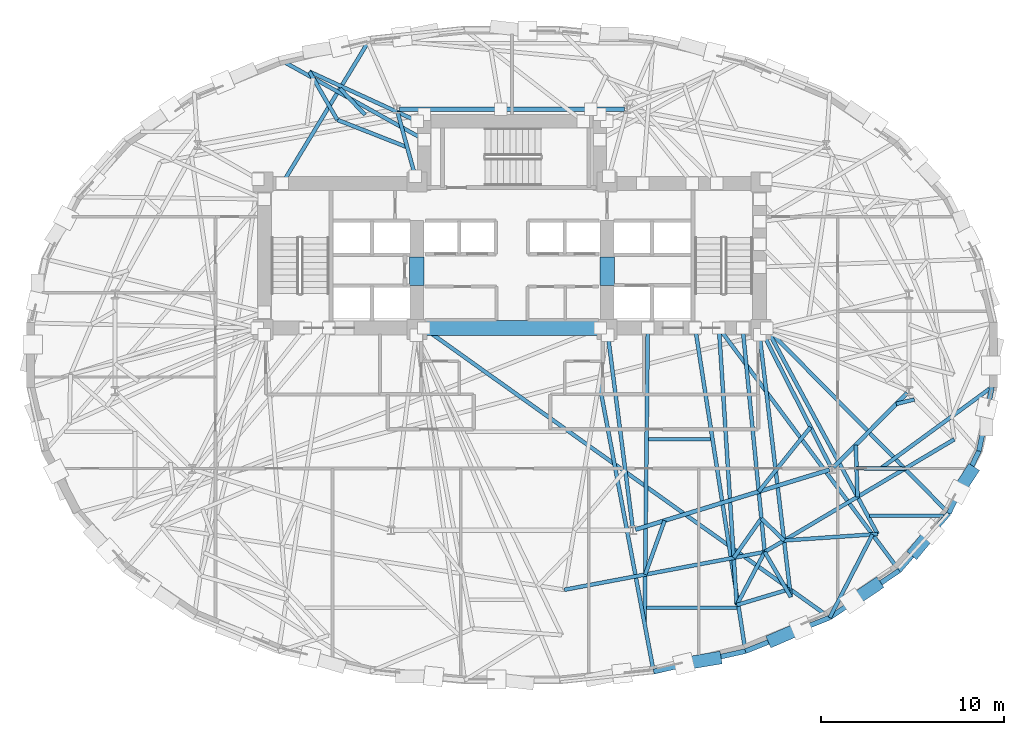
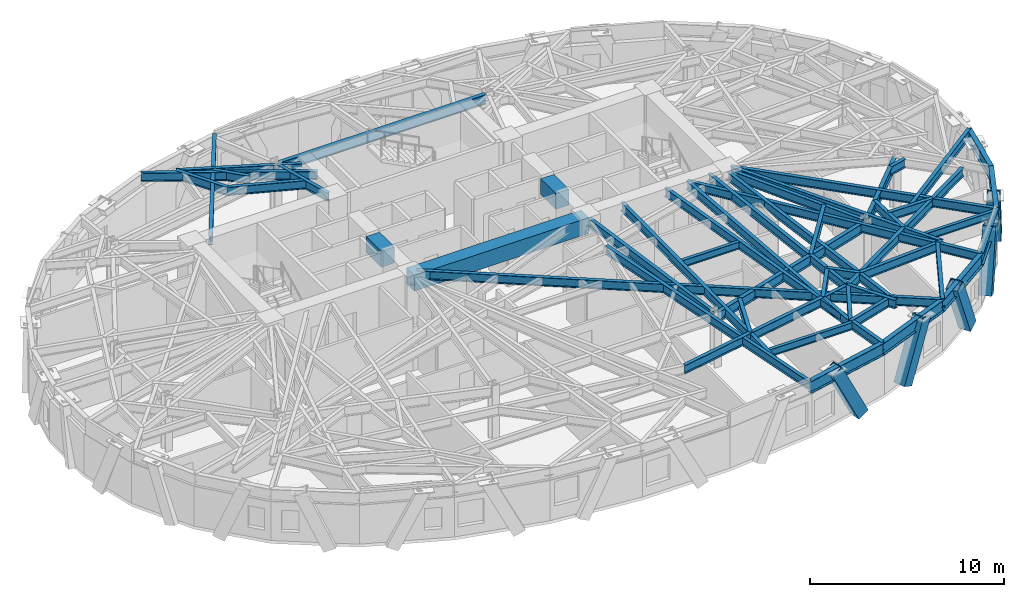
# One storey, part 3 of 14: 49 beams, 5 members.
"""IFC4 building model written with IfcOpenShell, lengths in metres."""

from ifc_helpers import new_model, si_unit, direction, frame, origin, origin_2d, place, context, subcontext, project, spatial, rectangle, hollow_rectangle, i_section, extrude, material, material_profile, profile_set, type_object, element, save


model = new_model("IFC4")

# Units and contexts
model_context = context("Model", 3, precision=1e-05, world=origin(), true_north=direction((0.0, 1.0)))
body_context = subcontext(model_context, "Body", "Model", "MODEL_VIEW")
ifc_project = project(units=[si_unit("LENGTHUNIT", "METRE"), si_unit("AREAUNIT", "SQUARE_METRE"), si_unit("VOLUMEUNIT", "CUBIC_METRE"), si_unit("PLANEANGLEUNIT", "RADIAN"), si_unit("MASSUNIT", "GRAM", prefix="KILO")], contexts=[model_context])

# Site, building, storey
site_placement = place(None, origin())
site = spatial("IfcSite", under=ifc_project, at=site_placement, CompositionType="ELEMENT")
building_placement = place(site_placement, origin())
building = spatial("IfcBuilding", under=site, at=building_placement, Name="Keldmark Tower", CompositionType="ELEMENT")
storey_placement = place(building_placement, frame((0.0, 0.0, 117.60009765625)))
storey = spatial("IfcBuildingStorey", under=building, at=storey_placement, Name="L31", CompositionType="ELEMENT", Elevation=117.60009765625)

# Beams
ifc_material_1 = material(Name="Steel ASTM A992 Grade 50", Category="steel")
ifc_material_profile_1 = material_profile(ifc_material_1, i_section(OverallWidth=0.19091796875, OverallDepth=0.45703125, WebThickness=0.009033203125, FlangeThickness=0.014404296875, at=origin_2d()), Name="W18X50")
ifc_profile_set_1 = profile_set([ifc_material_profile_1], Name="Steel ASTM A992 Grade 50")
beam_type_1 = type_object("IfcBeamType", Name="Composite Floor Joist W18X50", PredefinedType="JOIST", material=ifc_profile_set_1)
beam_1_placement = place(storey_placement, frame((7.353759765625, -13.800048828125, 3.081298828125), z_axis=(1.0, 0.0, 0.0), x_axis=(0.0, 1.0, 0.0)))
element("IfcBeam", 1, at=beam_1_placement, inside=storey, type_object=beam_type_1, Name="L31 Composite Floor Joist J03", PredefinedType="JOIST", context=body_context, shape_type="SweptSolid", body=[
    extrude(i_section(OverallWidth=0.19091796875, OverallDepth=0.45703125, WebThickness=0.009033203125, FlangeThickness=0.014404296875, at=origin_2d()), origin(), (0.0, 0.0, 1.0), 4.93505859375),
])
beam_2_placement = place(storey_placement, frame((19.54541015625, -8.780029296875, 3.081298828125), z_axis=(1.0, 0.0, 0.0), x_axis=(0.0, 1.0, 0.0)))
element("IfcBeam", 2, at=beam_2_placement, inside=storey, type_object=beam_type_1, Name="L31 Composite Floor Joist J04", PredefinedType="JOIST", context=body_context, shape_type="SweptSolid", body=[
    extrude(i_section(OverallWidth=0.19091796875, OverallDepth=0.45703125, WebThickness=0.009033203125, FlangeThickness=0.014404296875, at=origin_2d()), origin(), (0.0, 0.0, 1.0), 4.0390625),
])
beam_3_placement = place(storey_placement, frame((7.4501953125, -4.60009765625, 3.081298828125), z_axis=(1.0, 0.0, 0.0), x_axis=(0.0, 1.0, 0.0)))
element("IfcBeam", 3, at=beam_3_placement, inside=storey, type_object=beam_type_1, Name="L31 Composite Floor Joist J07", PredefinedType="JOIST", context=body_context, shape_type="SweptSolid", body=[
    extrude(i_section(OverallWidth=0.19091796875, OverallDepth=0.45703125, WebThickness=0.009033203125, FlangeThickness=0.014404296875, at=origin_2d()), origin(), (0.0, 0.0, 1.0), 3.407958984375),
])
ifc_material_2 = material(Name="Concrete C70/85", Category="concrete")
ifc_material_profile_2 = material_profile(ifc_material_2, rectangle(XDim=0.800048828125, YDim=1.0, at=origin_2d()), Name="RCB800X1000")
ifc_profile_set_2 = profile_set([ifc_material_profile_2], Name="Concrete C70/85")
beam_type_2 = type_object("IfcBeamType", Name="Core Coupling Beam RCB800X1000", PredefinedType="USERDEFINED", material=ifc_profile_set_2)
for number, where, z_axis, x_axis, name in (
    (4, (-5.199951171875, 3.800048828125, 2.809814453125), (0.0, 1.0, 0.0), (-1.0, 0.0, 0.0), "L31 West Core Coupling Beam"),
    (5, (5.199951171875, 3.800048828125, 2.809814453125), (0.0, 1.0, 0.0), (-1.0, 0.0, 0.0), "L31 East Core Coupling Beam"),
):
    element("IfcBeam", number, at=place(storey_placement, frame(where, z_axis=z_axis, x_axis=x_axis)), inside=storey, type_object=beam_type_2, Name=name, ObjectType="COUPLING BEAM", PredefinedType="USERDEFINED", context=body_context, shape_type="SweptSolid", body=[
        extrude(rectangle(XDim=0.800048828125, YDim=1.0, at=origin_2d()), origin(), (0.0, 0.0, 1.0), 1.550048828125),
    ])
beam_4_placement = place(storey_placement, frame((-5.199951171875, 1.47509765625, 2.809814453125), z_axis=(1.0, 0.0, 0.0), x_axis=(0.0, 1.0, 0.0)))
element("IfcBeam", 6, at=beam_4_placement, inside=storey, type_object=beam_type_2, Name="L31 Central South Core Coupling Beam", ObjectType="COUPLING BEAM", PredefinedType="USERDEFINED", context=body_context, shape_type="SweptSolid", body=[
    extrude(rectangle(XDim=0.800048828125, YDim=1.0, at=origin_2d()), origin(), (0.0, 0.0, 1.0), 10.39990234375),
])

# Members
ifc_material_3 = material(Name="Steel ASTM A572 Grade 50", Category="steel")
ifc_material_profile_3 = material_profile(ifc_material_3, hollow_rectangle(XDim=0.699951171875, YDim=0.699951171875, WallThickness=0.044921875, at=origin_2d()), Name="BOX700X700X45")
ifc_profile_set_3 = profile_set([ifc_material_profile_3], Name="Steel ASTM A572 Grade 50")
member_type = type_object("IfcMemberType", Name="Diagrid Zone 2 Brace BOX700X700X45", PredefinedType="BRACE", material=ifc_profile_set_3)
member_1_placement = place(storey_placement, frame((11.11767578125, -16.579345703125, -0.27001953125), z_axis=(-0.444558902473, -0.074513060587, 0.892645050417), x_axis=(0.165305300485, -0.986242443637, 0.0)))
element("IfcMember", 7, at=member_1_placement, inside=storey, type_object=member_type, Name="L31 Perimeter Diagrid Brace 13B", PredefinedType="BRACE", context=body_context, shape_type="SweptSolid", body=[
    extrude(hollow_rectangle(XDim=0.699951171875, YDim=0.699951171875, WallThickness=0.044921875, at=origin_2d()), origin(), (0.0, 0.0, 1.0), 3.8759765625),
])
member_2_placement = place(storey_placement, frame((14.29638671875, -15.555419921875, -0.27001953125), z_axis=(0.392877780664, 0.170070612081, 0.903727301992), x_axis=(-0.397260453562, 0.91770590716, 0.0)))
element("IfcMember", 8, at=member_2_placement, inside=storey, type_object=member_type, Name="L31 Perimeter Diagrid Brace 14A", PredefinedType="BRACE", context=body_context, shape_type="SweptSolid", body=[
    extrude(hollow_rectangle(XDim=0.699951171875, YDim=0.699951171875, WallThickness=0.044921875, at=origin_2d()), origin(), (0.0, 0.0, 1.0), 3.82861328125),
])
member_3_placement = place(storey_placement, frame((19.8623046875, -12.58740234375, -0.27001953125), z_axis=(-0.335797707694, -0.2257794349, 0.914474464534), x_axis=(0.557971082519, -0.82986039252, 0.0)))
element("IfcMember", 9, at=member_3_placement, inside=storey, type_object=member_type, Name="L31 Perimeter Diagrid Brace 14B", PredefinedType="BRACE", context=body_context, shape_type="SweptSolid", body=[
    extrude(hollow_rectangle(XDim=0.699951171875, YDim=0.699951171875, WallThickness=0.044921875, at=origin_2d()), origin(), (0.0, 0.0, 1.0), 3.783447265625),
])
member_4_placement = place(storey_placement, frame((22.047607421875, -10.705810546875, -0.27001953125), z_axis=(0.233709121442, 0.283325548235, 0.930111111788), x_axis=(-0.771419328775, 0.636327132214, 0.0)))
element("IfcMember", 10, at=member_4_placement, inside=storey, type_object=member_type, Name="L31 Perimeter Diagrid Brace 15A", PredefinedType="BRACE", context=body_context, shape_type="SweptSolid", body=[
    extrude(hollow_rectangle(XDim=0.699951171875, YDim=0.699951171875, WallThickness=0.044921875, at=origin_2d()), origin(), (0.0, 0.0, 1.0), 3.719970703125),
])
member_5_placement = place(storey_placement, frame((25.07470703125, -6.390625, -0.27001953125), z_axis=(-0.192675464212, -0.296307008855, 0.935456210624), x_axis=(0.838345465807, -0.545139321606, 0.0)))
element("IfcMember", 11, at=member_5_placement, inside=storey, type_object=member_type, Name="L31 Perimeter Diagrid Brace 15B", PredefinedType="BRACE", context=body_context, shape_type="SweptSolid", body=[
    extrude(hollow_rectangle(XDim=0.699951171875, YDim=0.699951171875, WallThickness=0.044921875, at=origin_2d()), origin(), (0.0, 0.0, 1.0), 3.69873046875),
])

# Beams
ifc_material_4 = material(Name="Steel ASTM A992 Grade 50", Category="steel")
ifc_material_profile_4 = material_profile(ifc_material_4, i_section(OverallWidth=0.22900390625, OverallDepth=0.612060546875, WebThickness=0.011962890625, FlangeThickness=0.01953125, at=origin_2d()), Name="W24X84")
ifc_profile_set_4 = profile_set([ifc_material_profile_4], Name="Steel ASTM A992 Grade 50")
beam_type_3 = type_object("IfcBeamType", Name="Primary Floor Girder W24X84", PredefinedType="BEAM", material=ifc_profile_set_4)
beam_5_placement = place(storey_placement, frame((6.15869140625, 13.4326171875, 3.00390625), z_axis=(-1.0, 0.0, 0.0), x_axis=(0.0, -1.0, 0.0)))
element("IfcBeam", 12, at=beam_5_placement, inside=storey, type_object=beam_type_3, Name="L31 Floor Ring Girder FG-R03", PredefinedType="BEAM", context=body_context, shape_type="SweptSolid", body=[
    extrude(i_section(OverallWidth=0.22900390625, OverallDepth=0.612060546875, WebThickness=0.011962890625, FlangeThickness=0.01953125, at=origin_2d()), origin(), (0.0, 0.0, 1.0), 12.3173828125),
])
beam_6_placement = place(storey_placement, frame((6.74658203125, -9.5380859375, 3.00390625), z_axis=(0.955607954968, 0.294641199432, 0.0), x_axis=(-0.294641199432, 0.955607954968, 0.0)))
element("IfcBeam", 13, at=beam_6_placement, inside=storey, type_object=beam_type_3, Name="L31 Floor Ring Girder FG-R10", PredefinedType="BEAM", context=body_context, shape_type="SweptSolid", body=[
    extrude(i_section(OverallWidth=0.22900390625, OverallDepth=0.612060546875, WebThickness=0.011962890625, FlangeThickness=0.01953125, at=origin_2d()), origin(), (0.0, 0.0, 1.0), 11.089111328125),
])
beam_7_placement = place(storey_placement, frame((17.57568359375, -6.130126953125, 3.00390625), z_axis=(0.703425791323, 0.71076870788, 0.0), x_axis=(-0.71076870788, 0.703425791323, 0.0)))
element("IfcBeam", 14, at=beam_7_placement, inside=storey, type_object=beam_type_3, Name="L31 Floor Ring Girder FG-R11", PredefinedType="BEAM", context=body_context, shape_type="SweptSolid", body=[
    extrude(i_section(OverallWidth=0.22900390625, OverallDepth=0.612060546875, WebThickness=0.011962890625, FlangeThickness=0.01953125, at=origin_2d()), origin(), (0.0, 0.0, 1.0), 5.71875),
])
ifc_material_5 = material(Name="Steel ASTM A992 Grade 50", Category="steel")
ifc_material_profile_5 = material_profile(ifc_material_5, i_section(OverallWidth=0.2099609375, OverallDepth=0.537109375, WebThickness=0.010986328125, FlangeThickness=0.017333984375, at=origin_2d()), Name="W21X68")
ifc_profile_set_5 = profile_set([ifc_material_profile_5], Name="Steel ASTM A992 Grade 50")
beam_type_4 = type_object("IfcBeamType", Name="Radial Tie Girder W21X68", PredefinedType="BEAM", material=ifc_profile_set_5)
beam_8_placement = place(storey_placement, frame((-6.26171875, 13.297607421875, 3.04150390625), z_axis=(0.265997186795, -0.963973804944, 0.0), x_axis=(0.963973804944, 0.265997186795, 0.0)))
element("IfcBeam", 15, at=beam_8_placement, inside=storey, type_object=beam_type_4, Name="L31 Floor Radial Girder FG-C04", PredefinedType="BEAM", context=body_context, shape_type="SweptSolid", body=[
    extrude(i_section(OverallWidth=0.2099609375, OverallDepth=0.537109375, WebThickness=0.010986328125, FlangeThickness=0.017333984375, at=origin_2d()), origin(), (0.0, 0.0, 1.0), 3.67138671875),
])
beam_9_placement = place(storey_placement, frame((6.594970703125, -9.4404296875, 3.04150390625), z_axis=(-0.127642040045, 0.991820301069, 0.0), x_axis=(-0.991820301069, -0.127642040045, 0.0)))
element("IfcBeam", 16, at=beam_9_placement, inside=storey, type_object=beam_type_4, Name="L31 Floor Radial Girder FG-C10", PredefinedType="BEAM", context=body_context, shape_type="SweptSolid", body=[
    extrude(i_section(OverallWidth=0.2099609375, OverallDepth=0.537109375, WebThickness=0.010986328125, FlangeThickness=0.017333984375, at=origin_2d()), origin(), (0.0, 0.0, 1.0), 10.609619140625),
])
beam_10_placement = place(storey_placement, frame((17.413818359375, -6.104736328125, 3.04150390625), z_axis=(-0.453028637759, 0.891495963743, 0.0), x_axis=(-0.891495963743, -0.453028637759, 0.0)))
element("IfcBeam", 17, at=beam_10_placement, inside=storey, type_object=beam_type_4, Name="L31 Floor Radial Girder FG-C11", PredefinedType="BEAM", context=body_context, shape_type="SweptSolid", body=[
    extrude(i_section(OverallWidth=0.2099609375, OverallDepth=0.537109375, WebThickness=0.010986328125, FlangeThickness=0.017333984375, at=origin_2d()), origin(), (0.0, 0.0, 1.0), 8.09814453125),
])
beam_11_placement = place(storey_placement, frame((-5.724609375, 11.35107421875, 3.04150390625), z_axis=(-0.930995006188, 0.365031914294, 0.0), x_axis=(-0.365031914294, -0.930995006188, 0.0)))
element("IfcBeam", 18, at=beam_11_placement, inside=storey, type_object=beam_type_4, Name="L31 Framing Pin Header PH-003", PredefinedType="BEAM", context=body_context, shape_type="SweptSolid", body=[
    extrude(i_section(OverallWidth=0.2099609375, OverallDepth=0.537109375, WebThickness=0.010986328125, FlangeThickness=0.017333984375, at=origin_2d()), origin(), (0.0, 0.0, 1.0), 4.103271484375),
])
beam_12_placement = place(storey_placement, frame((16.313232421875, -3.93896484375, 3.04150390625), z_axis=(-0.626387004385, -0.779512232577, 0.0), x_axis=(0.779512232577, -0.626387004385, 0.0)))
element("IfcBeam", 19, at=beam_12_placement, inside=storey, type_object=beam_type_4, Name="L31 Framing Pin Header PH-011", PredefinedType="BEAM", context=body_context, shape_type="SweptSolid", body=[
    extrude(i_section(OverallWidth=0.2099609375, OverallDepth=0.537109375, WebThickness=0.010986328125, FlangeThickness=0.017333984375, at=origin_2d()), origin(), (0.0, 0.0, 1.0), 4.5185546875),
])
beam_13_placement = place(storey_placement, frame((12.603515625, 1.47509765625, 3.04150390625), z_axis=(0.097925020427, -0.995193795386, 0.0), x_axis=(0.995193795386, 0.097925020427, 0.0)))
element("IfcBeam", 20, at=beam_13_placement, inside=storey, type_object=beam_type_4, Name="L31 Sub-Ring Step Girder STP2-M11", PredefinedType="BEAM", context=body_context, shape_type="SweptSolid", body=[
    extrude(i_section(OverallWidth=0.2099609375, OverallDepth=0.537109375, WebThickness=0.010986328125, FlangeThickness=0.017333984375, at=origin_2d()), origin(), (0.0, 0.0, 1.0), 12.296142578125),
])
beam_14_placement = place(storey_placement, frame((20.9951171875, -2.675048828125, 3.04150390625), z_axis=(0.970339100729, 0.241747863686, 0.0), x_axis=(-0.241747863686, 0.970339100729, 0.0)))
element("IfcBeam", 21, at=beam_14_placement, inside=storey, type_object=beam_type_4, Name="L31 Framing Pin Header PH-012", PredefinedType="BEAM", context=body_context, shape_type="SweptSolid", body=[
    extrude(i_section(OverallWidth=0.2099609375, OverallDepth=0.537109375, WebThickness=0.010986328125, FlangeThickness=0.017333984375, at=origin_2d()), origin(), (0.0, 0.0, 1.0), 1.02099609375),
])
beam_15_placement = place(storey_placement, frame((2.8564453125, -12.829345703125, 3.04150390625), z_axis=(0.982643274172, 0.185505244464, 0.0), x_axis=(-0.185505244464, 0.982643274172, 0.0)))
element("IfcBeam", 22, at=beam_15_placement, inside=storey, type_object=beam_type_4, Name="L31 Perimeter Collector Ring Beam CRG2-M10", PredefinedType="BEAM", context=body_context, shape_type="SweptSolid", body=[
    extrude(i_section(OverallWidth=0.2099609375, OverallDepth=0.537109375, WebThickness=0.010986328125, FlangeThickness=0.017333984375, at=origin_2d()), origin(), (0.0, 0.0, 1.0), 11.14453125),
])
beam_16_placement = place(storey_placement, frame((13.8076171875, -10.761962890625, 3.04150390625), z_axis=(0.859725434989, 0.510756474685, 0.0), x_axis=(-0.510756474685, 0.859725434989, 0.0)))
element("IfcBeam", 23, at=beam_16_placement, inside=storey, type_object=beam_type_4, Name="L31 Perimeter Collector Ring Beam CRG2-M11", PredefinedType="BEAM", context=body_context, shape_type="SweptSolid", body=[
    extrude(i_section(OverallWidth=0.2099609375, OverallDepth=0.537109375, WebThickness=0.010986328125, FlangeThickness=0.017333984375, at=origin_2d()), origin(), (0.0, 0.0, 1.0), 12.04638671875),
])
beam_17_placement = place(storey_placement, frame((-8.025390625, 13.1220703125, 3.04150390625), z_axis=(-0.690291943565, 0.723530947955, 0.0), x_axis=(-0.723530947955, -0.690291943565, 0.0)))
element("IfcBeam", 24, at=beam_17_placement, inside=storey, type_object=beam_type_4, Name="L31 Framing Pin Header PH-019", PredefinedType="BEAM", context=body_context, shape_type="SweptSolid", body=[
    extrude(i_section(OverallWidth=0.2099609375, OverallDepth=0.537109375, WebThickness=0.010986328125, FlangeThickness=0.017333984375, at=origin_2d()), origin(), (0.0, 0.0, 1.0), 1.990478515625),
])
beam_18_placement = place(storey_placement, frame((-12.54638671875, 9.375, 3.04150390625), z_axis=(0.518677677442, 0.854969863167, 0.0), x_axis=(-0.854969863167, 0.518677677442, 0.0)))
element("IfcBeam", 25, at=beam_18_placement, inside=storey, type_object=beam_type_4, Name="L31 Perimeter Radial Tie Girder RT-10", PredefinedType="BEAM", context=body_context, shape_type="SweptSolid", body=[
    extrude(i_section(OverallWidth=0.2099609375, OverallDepth=0.537109375, WebThickness=0.010986328125, FlangeThickness=0.017333984375, at=origin_2d()), origin(), (0.0, 0.0, 1.0), 9.26708984375),
])
beam_19_placement = place(storey_placement, frame((-5.175048828125, 12.77490234375, 3.04150390625), z_axis=(-0.908796082603, 0.417240554411, 0.0), x_axis=(-0.417240554411, -0.908796082603, 0.0)))
element("IfcBeam", 26, at=beam_19_placement, inside=storey, type_object=beam_type_4, Name="L31 Intermediate Radial Step Girder RT-11M", PredefinedType="BEAM", context=body_context, shape_type="SweptSolid", body=[
    extrude(i_section(OverallWidth=0.2099609375, OverallDepth=0.537109375, WebThickness=0.010986328125, FlangeThickness=0.017333984375, at=origin_2d()), origin(), (0.0, 0.0, 1.0), 6.485107421875),
])
beam_20_placement = place(storey_placement, frame((-9.544677734375, 12.848876953125, 3.04150390625), z_axis=(-0.501093229962, 0.865393306472, 0.0), x_axis=(-0.865393306472, -0.501093229962, 0.0)))
element("IfcBeam", 27, at=beam_20_placement, inside=storey, type_object=beam_type_4, Name="L31 Local Collector Chord RT-11C", PredefinedType="BEAM", context=body_context, shape_type="SweptSolid", body=[
    extrude(i_section(OverallWidth=0.2099609375, OverallDepth=0.537109375, WebThickness=0.010986328125, FlangeThickness=0.017333984375, at=origin_2d()), origin(), (0.0, 0.0, 1.0), 3.041259765625),
])
beam_21_placement = place(storey_placement, frame((-4.800048828125, 11.7666015625, 3.04150390625), z_axis=(-0.874464669163, 0.48508921075, 0.0), x_axis=(-0.48508921075, -0.874464669163, 0.0)))
element("IfcBeam", 28, at=beam_21_placement, inside=storey, type_object=beam_type_4, Name="L31 Perimeter Radial Tie Girder RT-11", PredefinedType="BEAM", context=body_context, shape_type="SweptSolid", body=[
    extrude(i_section(OverallWidth=0.2099609375, OverallDepth=0.537109375, WebThickness=0.010986328125, FlangeThickness=0.017333984375, at=origin_2d()), origin(), (0.0, 0.0, 1.0), 9.098388671875),
])
beam_22_placement = place(storey_placement, frame((8.336181640625, -9.048095703125, 3.04150390625), z_axis=(-0.338360547605, -0.941016545989, 0.0), x_axis=(0.941016545989, -0.338360547605, 0.0)))
element("IfcBeam", 29, at=beam_22_placement, inside=storey, type_object=beam_type_4, Name="L31 Framing Pin Header PH-037", PredefinedType="BEAM", context=body_context, shape_type="SweptSolid", body=[
    extrude(i_section(OverallWidth=0.2099609375, OverallDepth=0.537109375, WebThickness=0.010986328125, FlangeThickness=0.017333984375, at=origin_2d()), origin(), (0.0, 0.0, 1.0), 3.131591796875),
])
beam_23_placement = place(storey_placement, frame((7.41796875, 1.47509765625, 3.04150390625), z_axis=(-0.0104923642, -0.999944953632, 0.0), x_axis=(0.999944953632, -0.0104923642, 0.0)))
element("IfcBeam", 30, at=beam_23_placement, inside=storey, type_object=beam_type_4, Name="L31 Intermediate Radial Step Girder RT-26M", PredefinedType="BEAM", context=body_context, shape_type="SweptSolid", body=[
    extrude(i_section(OverallWidth=0.2099609375, OverallDepth=0.537109375, WebThickness=0.010986328125, FlangeThickness=0.017333984375, at=origin_2d()), origin(), (0.0, 0.0, 1.0), 16.171630859375),
])
beam_24_placement = place(storey_placement, frame((13.626953125, -8.926513671875, 3.04150390625), z_axis=(-0.5744017666, -0.81857352176, 0.0), x_axis=(0.81857352176, -0.5744017666, 0.0)))
element("IfcBeam", 31, at=beam_24_placement, inside=storey, type_object=beam_type_4, Name="L31 Framing Pin Header PH-038", PredefinedType="BEAM", context=body_context, shape_type="SweptSolid", body=[
    extrude(i_section(OverallWidth=0.2099609375, OverallDepth=0.537109375, WebThickness=0.010986328125, FlangeThickness=0.017333984375, at=origin_2d()), origin(), (0.0, 0.0, 1.0), 2.632568359375),
])
beam_25_placement = place(storey_placement, frame((11.30712890625, 1.47509765625, 3.04150390625), z_axis=(0.06418008411, -0.997938333167, 0.0), x_axis=(0.997938333167, 0.06418008411, 0.0)))
element("IfcBeam", 32, at=beam_25_placement, inside=storey, type_object=beam_type_4, Name="L31 Intermediate Radial Step Girder RT-27M", PredefinedType="BEAM", context=body_context, shape_type="SweptSolid", body=[
    extrude(i_section(OverallWidth=0.2099609375, OverallDepth=0.537109375, WebThickness=0.010986328125, FlangeThickness=0.017333984375, at=origin_2d()), origin(), (0.0, 0.0, 1.0), 15.16650390625),
])
beam_26_placement = place(storey_placement, frame((13.8076171875, -10.761962890625, 3.04150390625), z_axis=(-0.46616104453, -0.884699881634, 0.0), x_axis=(0.884699881634, -0.46616104453, 0.0)))
element("IfcBeam", 33, at=beam_26_placement, inside=storey, type_object=beam_type_4, Name="L31 Local Collector Chord RT-27C", PredefinedType="BEAM", context=body_context, shape_type="SweptSolid", body=[
    extrude(i_section(OverallWidth=0.2099609375, OverallDepth=0.537109375, WebThickness=0.010986328125, FlangeThickness=0.017333984375, at=origin_2d()), origin(), (0.0, 0.0, 1.0), 3.27587890625),
])
beam_27_placement = place(storey_placement, frame((10.0107421875, 1.47509765625, 3.04150390625), z_axis=(0.153664907438, -0.988123016745, 0.0), x_axis=(0.988123016745, 0.153664907438, 0.0)))
element("IfcBeam", 34, at=beam_27_placement, inside=storey, type_object=beam_type_4, Name="L31 Perimeter Radial Tie Girder RT-27", PredefinedType="BEAM", context=body_context, shape_type="SweptSolid", body=[
    extrude(i_section(OverallWidth=0.2099609375, OverallDepth=0.537109375, WebThickness=0.010986328125, FlangeThickness=0.017333984375, at=origin_2d()), origin(), (0.0, 0.0, 1.0), 17.867431640625),
])
beam_28_placement = place(storey_placement, frame((13.626953125, -8.926513671875, 3.04150390625), z_axis=(0.716084817559, -0.698013276422, 0.0), x_axis=(0.698013276422, 0.716084817559, 0.0)))
element("IfcBeam", 35, at=beam_28_placement, inside=storey, type_object=beam_type_4, Name="L31 Framing Pin Header PH-039", PredefinedType="BEAM", context=body_context, shape_type="SweptSolid", body=[
    extrude(i_section(OverallWidth=0.2099609375, OverallDepth=0.537109375, WebThickness=0.010986328125, FlangeThickness=0.017333984375, at=origin_2d()), origin(), (0.0, 0.0, 1.0), 1.729248046875),
])
beam_29_placement = place(storey_placement, frame((13.52490234375, 1.10009765625, 3.04150390625), z_axis=(0.118479115858, -0.992956544419, 0.0), x_axis=(0.992956544419, 0.118479115858, 0.0)))
element("IfcBeam", 36, at=beam_29_placement, inside=storey, type_object=beam_type_4, Name="L31 Intermediate Radial Step Girder RT-28M", PredefinedType="BEAM", context=body_context, shape_type="SweptSolid", body=[
    extrude(i_section(OverallWidth=0.2099609375, OverallDepth=0.537109375, WebThickness=0.010986328125, FlangeThickness=0.017333984375, at=origin_2d()), origin(), (0.0, 0.0, 1.0), 14.42431640625),
])
beam_30_placement = place(storey_placement, frame((13.8076171875, -10.761962890625, 3.04150390625), z_axis=(0.501472704572, -0.865173466173, 0.0), x_axis=(0.865173466173, 0.501472704572, 0.0)))
element("IfcBeam", 37, at=beam_30_placement, inside=storey, type_object=beam_type_4, Name="L31 Local Collector Chord RT-28C", PredefinedType="BEAM", context=body_context, shape_type="SweptSolid", body=[
    extrude(i_section(OverallWidth=0.2099609375, OverallDepth=0.537109375, WebThickness=0.010986328125, FlangeThickness=0.017333984375, at=origin_2d()), origin(), (0.0, 0.0, 1.0), 2.84423828125),
])
beam_31_placement = place(storey_placement, frame((12.280517578125, -13.66015625, 3.04150390625), z_axis=(0.957793008365, 0.287458785094, 0.0), x_axis=(-0.287458785094, 0.957793008365, 0.0)))
element("IfcBeam", 38, at=beam_31_placement, inside=storey, type_object=beam_type_4, Name="L31 Framing Pin Header PH-040", PredefinedType="BEAM", context=body_context, shape_type="SweptSolid", body=[
    extrude(i_section(OverallWidth=0.2099609375, OverallDepth=0.537109375, WebThickness=0.010986328125, FlangeThickness=0.017333984375, at=origin_2d()), origin(), (0.0, 0.0, 1.0), 3.029541015625),
])
beam_32_placement = place(storey_placement, frame((-4.824951171875, 1.47509765625, 3.04150390625), z_axis=(0.814239197707, -0.580529524588, 0.0), x_axis=(0.580529524588, 0.814239197707, 0.0)))
element("IfcBeam", 39, at=beam_32_placement, inside=storey, type_object=beam_type_4, Name="L31 Perimeter Radial Tie Girder RT-28", PredefinedType="BEAM", context=body_context, shape_type="SweptSolid", body=[
    extrude(i_section(OverallWidth=0.2099609375, OverallDepth=0.537109375, WebThickness=0.010986328125, FlangeThickness=0.017333984375, at=origin_2d()), origin(), (0.0, 0.0, 1.0), 27.25244140625),
])
beam_33_placement = place(storey_placement, frame((18.78271484375, -4.91064453125, 3.04150390625), z_axis=(0.033955979282, -0.999423329461, 0.0), x_axis=(0.999423329461, 0.033955979282, 0.0)))
element("IfcBeam", 40, at=beam_33_placement, inside=storey, type_object=beam_type_4, Name="L31 Framing Pin Header PH-041", PredefinedType="BEAM", context=body_context, shape_type="SweptSolid", body=[
    extrude(i_section(OverallWidth=0.2099609375, OverallDepth=0.537109375, WebThickness=0.010986328125, FlangeThickness=0.017333984375, at=origin_2d()), origin(), (0.0, 0.0, 1.0), 2.840087890625),
])
beam_34_placement = place(storey_placement, frame((13.89990234375, 1.47509765625, 3.04150390625), z_axis=(0.475024534261, -0.87997255176, 0.0), x_axis=(0.87997255176, 0.475024534261, 0.0)))
element("IfcBeam", 41, at=beam_34_placement, inside=storey, type_object=beam_type_4, Name="L31 Intermediate Radial Step Girder RT-29M", PredefinedType="BEAM", context=body_context, shape_type="SweptSolid", body=[
    extrude(i_section(OverallWidth=0.2099609375, OverallDepth=0.537109375, WebThickness=0.010986328125, FlangeThickness=0.017333984375, at=origin_2d()), origin(), (0.0, 0.0, 1.0), 12.79638671875),
])
beam_35_placement = place(storey_placement, frame((14.865234375, -10.133544921875, 3.04150390625), z_axis=(0.997690153946, 0.067929056509, 0.0), x_axis=(-0.067929056509, 0.997690153946, 0.0)))
element("IfcBeam", 42, at=beam_35_placement, inside=storey, type_object=beam_type_4, Name="L31 Local Collector Chord RT-29C", PredefinedType="BEAM", context=body_context, shape_type="SweptSolid", body=[
    extrude(i_section(OverallWidth=0.2099609375, OverallDepth=0.537109375, WebThickness=0.010986328125, FlangeThickness=0.017333984375, at=origin_2d()), origin(), (0.0, 0.0, 1.0), 5.125),
])
beam_36_placement = place(storey_placement, frame((17.364990234375, -14.345703125, 3.04150390625), z_axis=(0.456602120792, 0.889671008457, 0.0), x_axis=(-0.889671008457, 0.456602120792, 0.0)))
element("IfcBeam", 43, at=beam_36_placement, inside=storey, type_object=beam_type_4, Name="L31 Framing Pin Header PH-042", PredefinedType="BEAM", context=body_context, shape_type="SweptSolid", body=[
    extrude(i_section(OverallWidth=0.2099609375, OverallDepth=0.537109375, WebThickness=0.010986328125, FlangeThickness=0.017333984375, at=origin_2d()), origin(), (0.0, 0.0, 1.0), 5.104248046875),
])
beam_37_placement = place(storey_placement, frame((11.30712890625, 1.47509765625, 3.04150390625), z_axis=(0.596741831177, -0.802433291261, 0.0), x_axis=(0.802433291261, 0.596741831177, 0.0)))
element("IfcBeam", 44, at=beam_37_placement, inside=storey, type_object=beam_type_4, Name="L31 Perimeter Radial Tie Girder RT-29", PredefinedType="BEAM", context=body_context, shape_type="SweptSolid", body=[
    extrude(i_section(OverallWidth=0.2099609375, OverallDepth=0.537109375, WebThickness=0.010986328125, FlangeThickness=0.017333984375, at=origin_2d()), origin(), (0.0, 0.0, 1.0), 16.51025390625),
])
beam_38_placement = place(storey_placement, frame((18.826171875, -6.18798828125, 3.04150390625), z_axis=(0.999959788162, -0.008967834639, 0.0), x_axis=(0.008967834639, 0.999959788162, 0.0)))
element("IfcBeam", 45, at=beam_38_placement, inside=storey, type_object=beam_type_4, Name="L31 Framing Pin Header PH-043", PredefinedType="BEAM", context=body_context, shape_type="SweptSolid", body=[
    extrude(i_section(OverallWidth=0.2099609375, OverallDepth=0.537109375, WebThickness=0.010986328125, FlangeThickness=0.017333984375, at=origin_2d()), origin(), (0.0, 0.0, 1.0), 2.640625),
])
beam_39_placement = place(storey_placement, frame((13.89990234375, 1.47509765625, 3.04150390625), z_axis=(0.701525174617, -0.712644672595, 0.0), x_axis=(0.712644672595, 0.701525174617, 0.0)))
element("IfcBeam", 46, at=beam_39_placement, inside=storey, type_object=beam_type_4, Name="L31 Perimeter Radial Tie Girder RT-30", PredefinedType="BEAM", context=body_context, shape_type="SweptSolid", body=[
    extrude(i_section(OverallWidth=0.2099609375, OverallDepth=0.537109375, WebThickness=0.010986328125, FlangeThickness=0.017333984375, at=origin_2d()), origin(), (0.0, 0.0, 1.0), 14.20556640625),
])
beam_40_placement = place(storey_placement, frame((20.146484375, -6.19970703125, 3.04150390625), z_axis=(0.806905586073, 0.590680434046, 0.0), x_axis=(-0.590680434046, 0.806905586073, 0.0)))
element("IfcBeam", 47, at=beam_40_placement, inside=storey, type_object=beam_type_4, Name="L31 Perimeter Radial Tie Girder RT-32", PredefinedType="BEAM", context=body_context, shape_type="SweptSolid", body=[
    extrude(i_section(OverallWidth=0.2099609375, OverallDepth=0.537109375, WebThickness=0.010986328125, FlangeThickness=0.017333984375, at=origin_2d()), origin(), (0.0, 0.0, 1.0), 7.531005859375),
])
beam_41_placement = place(storey_placement, frame((4.76025390625, -1.514404296875, 3.04150390625), z_axis=(0.185494258734, -0.982645348016, 0.0), x_axis=(0.982645348016, 0.185494258734, 0.0)))
element("IfcBeam", 48, at=beam_41_placement, inside=storey, type_object=beam_type_4, Name="L31 Perimeter Radial Tie Girder RT-26R", PredefinedType="BEAM", context=body_context, shape_type="SweptSolid", body=[
    extrude(i_section(OverallWidth=0.2099609375, OverallDepth=0.537109375, WebThickness=0.010986328125, FlangeThickness=0.017333984375, at=origin_2d()), origin(), (0.0, 0.0, 1.0), 16.0625),
])
ifc_material_6 = material(Name="Steel ASTM A992 Grade 50", Category="steel")
ifc_material_profile_6 = material_profile(ifc_material_6, i_section(OverallWidth=0.26806640625, OverallDepth=0.77001953125, WebThickness=0.015625, FlangeThickness=0.025390625, at=origin_2d()), Name="W30X132")
ifc_profile_set_6 = profile_set([ifc_material_profile_6], Name="Steel ASTM A992 Grade 50")
beam_type_5 = type_object("IfcBeamType", Name="Spandrel Ring Beam W30X132", PredefinedType="SPANDREL", material=ifc_profile_set_6)
beam_42_placement = place(storey_placement, frame((7.73974609375, -17.298095703125, 2.9248046875), z_axis=(0.976058355685, 0.217508818896, 0.0), x_axis=(-0.217508818896, 0.976058355685, 0.0)))
element("IfcBeam", 49, at=beam_42_placement, inside=storey, type_object=beam_type_5, Name="L31 Perimeter Spandrel Ring Beam SRB-26", PredefinedType="SPANDREL", context=body_context, shape_type="SweptSolid", body=[
    extrude(i_section(OverallWidth=0.26806640625, OverallDepth=0.77001953125, WebThickness=0.015625, FlangeThickness=0.025390625, at=origin_2d()), origin(), (0.0, 0.0, 1.0), 5.1396484375),
])
beam_43_placement = place(storey_placement, frame((12.75634765625, -16.18017578125, 2.9248046875), z_axis=(0.92909994532, 0.369828732804, 0.0), x_axis=(-0.369828732804, 0.92909994532, 0.0)))
element("IfcBeam", 50, at=beam_43_placement, inside=storey, type_object=beam_type_5, Name="L31 Perimeter Spandrel Ring Beam SRB-27", PredefinedType="SPANDREL", context=body_context, shape_type="SweptSolid", body=[
    extrude(i_section(OverallWidth=0.26806640625, OverallDepth=0.77001953125, WebThickness=0.015625, FlangeThickness=0.025390625, at=origin_2d()), origin(), (0.0, 0.0, 1.0), 4.96044921875),
])
beam_44_placement = place(storey_placement, frame((17.364990234375, -14.345703125, 2.9248046875), z_axis=(0.827707240431, 0.56116015908, 0.0), x_axis=(-0.56116015908, 0.827707240431, 0.0)))
element("IfcBeam", 51, at=beam_44_placement, inside=storey, type_object=beam_type_5, Name="L31 Perimeter Spandrel Ring Beam SRB-28", PredefinedType="SPANDREL", context=body_context, shape_type="SweptSolid", body=[
    extrude(i_section(OverallWidth=0.26806640625, OverallDepth=0.77001953125, WebThickness=0.015625, FlangeThickness=0.025390625, at=origin_2d()), origin(), (0.0, 0.0, 1.0), 4.584228515625),
])
beam_45_placement = place(storey_placement, frame((21.159423828125, -11.773193359375, 2.9248046875), z_axis=(0.654644924638, 0.755936520249, 0.0), x_axis=(-0.755936520249, 0.654644924638, 0.0)))
element("IfcBeam", 52, at=beam_45_placement, inside=storey, type_object=beam_type_5, Name="L31 Perimeter Spandrel Ring Beam SRB-29", PredefinedType="SPANDREL", context=body_context, shape_type="SweptSolid", body=[
    extrude(i_section(OverallWidth=0.26806640625, OverallDepth=0.77001953125, WebThickness=0.015625, FlangeThickness=0.025390625, at=origin_2d()), origin(), (0.0, 0.0, 1.0), 4.133544921875),
])
beam_46_placement = place(storey_placement, frame((23.865478515625, -8.6484375, 2.9248046875), z_axis=(0.43625131955, 0.899824864177, 0.0), x_axis=(-0.899824864177, 0.43625131955, 0.0)))
element("IfcBeam", 53, at=beam_46_placement, inside=storey, type_object=beam_type_5, Name="L31 Perimeter Spandrel Ring Beam SRB-30", PredefinedType="SPANDREL", context=body_context, shape_type="SweptSolid", body=[
    extrude(i_section(OverallWidth=0.26806640625, OverallDepth=0.77001953125, WebThickness=0.015625, FlangeThickness=0.025390625, at=origin_2d()), origin(), (0.0, 0.0, 1.0), 3.77978515625),
])
beam_47_placement = place(storey_placement, frame((25.514404296875, -5.247314453125, 2.9248046875), z_axis=(0.198747709054, 0.980050686519, 0.0), x_axis=(-0.980050686519, 0.198747709054, 0.0)))
element("IfcBeam", 54, at=beam_47_placement, inside=storey, type_object=beam_type_5, Name="L31 Perimeter Spandrel Ring Beam SRB-31", PredefinedType="SPANDREL", context=body_context, shape_type="SweptSolid", body=[
    extrude(i_section(OverallWidth=0.26806640625, OverallDepth=0.77001953125, WebThickness=0.015625, FlangeThickness=0.025390625, at=origin_2d()), origin(), (0.0, 0.0, 1.0), 3.567138671875),
])

save(model, "model.ifc")
